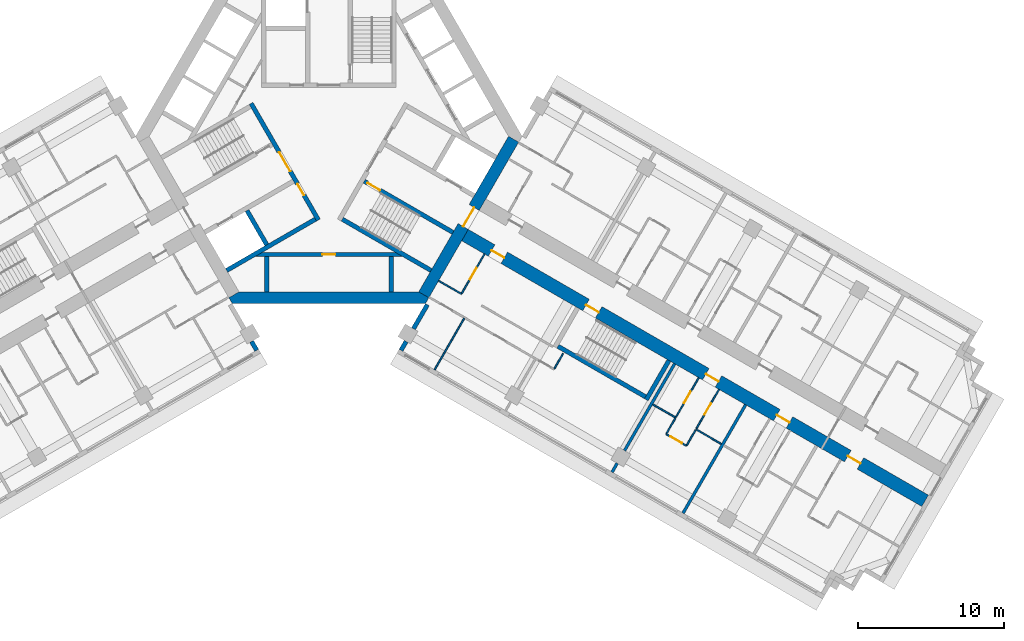
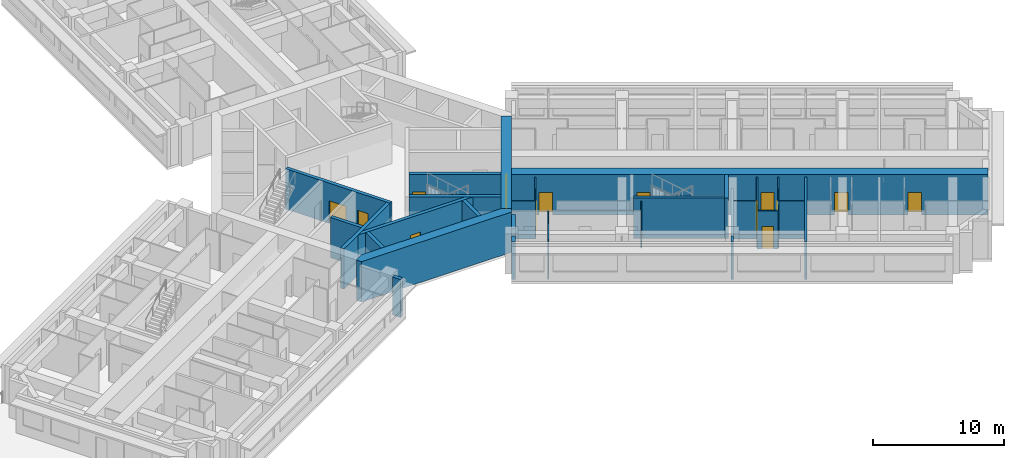
# One storey, part 6 of 15: 30 walls, 14 doors, 14 openings.
"""IFC4 building model written with IfcOpenShell, lengths in metres."""

from ifc_helpers import new_model, si_unit, direction, frame, frame_2d, origin, place, context, subcontext, project, spatial, polyline, rectangle, outline, extrude, material, layer, layer_set, type_object, element, fill, save


model = new_model("IFC4")

# Units and contexts
model_context = context("Model", 3, precision=1e-05, world=origin(), true_north=direction((0.0, 1.0)))
body_context = subcontext(model_context, "Body", "Model", "MODEL_VIEW")
ifc_project = project(units=[si_unit("LENGTHUNIT", "METRE"), si_unit("AREAUNIT", "SQUARE_METRE"), si_unit("VOLUMEUNIT", "CUBIC_METRE"), si_unit("PLANEANGLEUNIT", "RADIAN"), si_unit("MASSUNIT", "GRAM", prefix="KILO")], contexts=[model_context])

# Site, building, storey
site_placement = place(None, origin())
site = spatial("IfcSite", under=ifc_project, at=site_placement, CompositionType="ELEMENT")
building_placement = place(site_placement, origin())
building = spatial("IfcBuilding", under=site, at=building_placement, Name="Impinga Residences", CompositionType="ELEMENT")
storey_placement = place(building_placement, frame((0.0, 0.0, 132.25)))
storey = spatial("IfcBuildingStorey", under=building, at=storey_placement, Name="L32", CompositionType="ELEMENT", Elevation=132.25)

# Wall, openings, doors
ifc_material_1 = material(Name="Concrete C60/75", Category="concrete")
ifc_layer_1 = layer(ifc_material_1, 0.89990234375)
ifc_layer_set_1 = layer_set([ifc_layer_1], Name="Concrete C60/75")
wall_type_1 = type_object("IfcWallType", Name="BW2 corridor buttress wall, L24 to L44 900", PredefinedType="SHEAR", material=ifc_layer_set_1)
wall_1_placement = place(storey_placement, frame((8.95361328125, -6.554931640625, 0.0), z_axis=(0.0, 0.0, 1.0), x_axis=(0.866024733898, -0.500001160275, 0.0)))
wall_1 = element("IfcWall", 1, at=wall_1_placement, inside=storey, type_object=wall_type_1, Name="Corridor wall BW2 ED L32", PredefinedType="SHEAR", context=body_context, shape_type="SweptSolid", body=[
    extrude(rectangle(XDim=36.7001953125, YDim=0.89990234375, at=frame_2d((18.35009765625, 0.0))), origin(), (0.0, 0.0, 1.0), 3.75),
])
opening_1_placement = place(wall_1_placement, frame((9.949951171875, 0.0, 0.0)))
opening_1 = element("IfcOpeningElement", 2, at=opening_1_placement, cuts=wall_1, Name="Opening D5", PredefinedType="OPENING", context=body_context, shape_type="SweptSolid", body=[
    extrude(rectangle(XDim=1.0, YDim=2.10009765625, at=frame_2d((0.5, 1.050048828125))), frame((0.0, 0.4599609375, 0.0), z_axis=(0.0, -1.0, 0.0), x_axis=(1.0, 0.0, 0.0)), (0.0, 0.0, 1.0), 0.919921875),
])
opening_2_placement = place(wall_1_placement, frame((2.5, 0.0, 0.0)))
opening_2 = element("IfcOpeningElement", 3, at=opening_2_placement, cuts=wall_1, Name="Opening D1", PredefinedType="OPENING", context=body_context, shape_type="SweptSolid", body=[
    extrude(rectangle(XDim=1.0, YDim=2.10009765625, at=frame_2d((0.5, 1.050048828125))), frame((0.0, 0.4599609375, 0.0), z_axis=(0.0, -1.0, 0.0), x_axis=(1.0, 0.0, 0.0)), (0.0, 0.0, 1.0), 0.919921875),
])
opening_3_placement = place(wall_1_placement, frame((19.39990234375, 0.0, 0.0)))
opening_3 = element("IfcOpeningElement", 4, at=opening_3_placement, cuts=wall_1, Name="Opening D1", PredefinedType="OPENING", context=body_context, shape_type="SweptSolid", body=[
    extrude(rectangle(XDim=1.0, YDim=2.10009765625, at=frame_2d((0.5, 1.050048828125))), frame((0.0, 0.4599609375, 0.0), z_axis=(0.0, -1.0, 0.0), x_axis=(1.0, 0.0, 0.0)), (0.0, 0.0, 1.0), 0.919921875),
])
opening_4_placement = place(wall_1_placement, frame((25.0, 0.0, 0.0)))
opening_4 = element("IfcOpeningElement", 5, at=opening_4_placement, cuts=wall_1, Name="Opening D1", PredefinedType="OPENING", context=body_context, shape_type="SweptSolid", body=[
    extrude(rectangle(XDim=1.0, YDim=2.10009765625, at=frame_2d((0.5, 1.050048828125))), frame((0.0, 0.4599609375, 0.0), z_axis=(0.0, -1.0, 0.0), x_axis=(1.0, 0.0, 0.0)), (0.0, 0.0, 1.0), 0.919921875),
])
opening_5_placement = place(wall_1_placement, frame((30.60009765625, 0.0, 0.0)))
opening_5 = element("IfcOpeningElement", 6, at=opening_5_placement, cuts=wall_1, Name="Opening D1", PredefinedType="OPENING", context=body_context, shape_type="SweptSolid", body=[
    extrude(rectangle(XDim=1.0, YDim=2.10009765625, at=frame_2d((0.5, 1.050048828125))), frame((0.0, 0.4599609375, 0.0), z_axis=(0.0, -1.0, 0.0), x_axis=(1.0, 0.0, 0.0)), (0.0, 0.0, 1.0), 0.919921875),
])
ifc_material_2 = material(Name="Timber door set", Category="wood")
door_type_1 = type_object("IfcDoorType", Name="D1 apartment entrance door 1000x2100", OperationType="SINGLE_SWING_LEFT", PredefinedType="DOOR", material=ifc_material_2)
door_1_placement = place(opening_2_placement, origin())
door_1 = element("IfcDoor", 7, at=door_1_placement, inside=storey, type_object=door_type_1, Name="Apartment L32-EF1 entrance", OperationType="SINGLE_SWING_LEFT", OverallHeight=2.10009765625, OverallWidth=1.0, PredefinedType="DOOR", context=body_context, shape_type="SweptSolid", body=[
    extrude(rectangle(XDim=1.0, YDim=2.10009765625, at=frame_2d((0.5, 1.050048828125))), frame((0.0, 0.02490234375, 0.0), z_axis=(0.0, -1.0, 0.0), x_axis=(1.0, 0.0, 0.0)), (0.0, 0.0, 1.0), 0.050048828125),
])
fill(opening_2, door_1)
door_2_placement = place(opening_3_placement, origin())
door_2 = element("IfcDoor", 8, at=door_2_placement, inside=storey, type_object=door_type_1, Name="Apartment L32-EF2 entrance", OperationType="SINGLE_SWING_RIGHT", OverallHeight=2.10009765625, OverallWidth=1.0, PredefinedType="DOOR", context=body_context, shape_type="SweptSolid", body=[
    extrude(rectangle(XDim=1.0, YDim=2.10009765625, at=frame_2d((0.5, 1.050048828125))), frame((0.0, 0.02490234375, 0.0), z_axis=(0.0, -1.0, 0.0), x_axis=(1.0, 0.0, 0.0)), (0.0, 0.0, 1.0), 0.050048828125),
])
fill(opening_3, door_2)
door_3_placement = place(opening_4_placement, origin())
door_3 = element("IfcDoor", 9, at=door_3_placement, inside=storey, type_object=door_type_1, Name="Apartment L32-EF3 entrance", OperationType="SINGLE_SWING_RIGHT", OverallHeight=2.10009765625, OverallWidth=1.0, PredefinedType="DOOR", context=body_context, shape_type="SweptSolid", body=[
    extrude(rectangle(XDim=1.0, YDim=2.10009765625, at=frame_2d((0.5, 1.050048828125))), frame((0.0, 0.02490234375, 0.0), z_axis=(0.0, -1.0, 0.0), x_axis=(1.0, 0.0, 0.0)), (0.0, 0.0, 1.0), 0.050048828125),
])
fill(opening_4, door_3)
door_4_placement = place(opening_5_placement, origin())
door_4 = element("IfcDoor", 10, at=door_4_placement, inside=storey, type_object=door_type_1, Name="Apartment L32-EF4 entrance", OperationType="SINGLE_SWING_RIGHT", OverallHeight=2.10009765625, OverallWidth=1.0, PredefinedType="DOOR", context=body_context, shape_type="SweptSolid", body=[
    extrude(rectangle(XDim=1.0, YDim=2.10009765625, at=frame_2d((0.5, 1.050048828125))), frame((0.0, 0.02490234375, 0.0), z_axis=(0.0, -1.0, 0.0), x_axis=(1.0, 0.0, 0.0)), (0.0, 0.0, 1.0), 0.050048828125),
])
fill(opening_5, door_4)
door_type_2 = type_object("IfcDoorType", Name="D5 stair door 1000x2100", OperationType="SINGLE_SWING_LEFT", PredefinedType="DOOR", material=ifc_material_2)
door_5_placement = place(opening_1_placement, origin())
door_5 = element("IfcDoor", 11, at=door_5_placement, inside=storey, type_object=door_type_2, Name="Wing stair door E", OperationType="SINGLE_SWING_LEFT", OverallHeight=2.10009765625, OverallWidth=1.0, PredefinedType="DOOR", context=body_context, shape_type="SweptSolid", body=[
    extrude(rectangle(XDim=1.0, YDim=2.10009765625, at=frame_2d((0.5, 1.050048828125))), frame((0.0, 0.02490234375, 0.0), z_axis=(0.0, -1.0, 0.0), x_axis=(1.0, 0.0, 0.0)), (0.0, 0.0, 1.0), 0.050048828125),
])
fill(opening_1, door_5)

# Walls
ifc_material_3 = material(Name="Terracotta rainscreen on blockwork", Category="masonry")
ifc_layer_2 = layer(ifc_material_3, 0.300048828125)
ifc_layer_set_2 = layer_set([ifc_layer_2], Name="EW1 external wall, terracotta rainscreen on blockwork 300")
wall_type_2 = type_object("IfcWallType", Name="EW1 external wall, terracotta rainscreen on blockwork 300", PredefinedType="SOLIDWALL", material=ifc_layer_set_2)
wall_2_placement = place(storey_placement, frame((4.929931640625, -14.624267578125, 0.0), z_axis=(0.0, 0.0, 1.0), x_axis=(0.499853302173, 0.866110083249, 0.0)))
element("IfcWall", 12, at=wall_2_placement, inside=storey, type_object=wall_type_2, Name="External wall EW1 L32", PredefinedType="SOLIDWALL", context=body_context, shape_type="SweptSolid", body=[
    extrude(rectangle(XDim=0.699951171875, YDim=0.300048828125, at=frame_2d((0.35009765625, 0.0))), origin(), (0.0, 0.0, 1.0), 3.530029296875),
])
wall_3_placement = place(storey_placement, frame((5.77978515625, -13.152099609375, 0.0), z_axis=(0.0, 0.0, 1.0), x_axis=(0.500063520245, 0.865988727248, 0.0)))
element("IfcWall", 13, at=wall_3_placement, inside=storey, type_object=wall_type_2, Name="External wall EW1 L32", PredefinedType="SOLIDWALL", context=body_context, shape_type="SweptSolid", body=[
    extrude(rectangle(XDim=1.900146484375, YDim=0.300048828125, at=frame_2d((0.9501953125, 0.0))), origin(), (0.0, 0.0, 1.0), 3.530029296875),
])
wall_4_placement = place(storey_placement, frame((-5.27978515625, -14.01806640625, 0.0), z_axis=(0.0, 0.0, 1.0), x_axis=(0.499853302173, -0.866110083249, 0.0)))
element("IfcWall", 14, at=wall_4_placement, inside=storey, type_object=wall_type_2, Name="External wall EW1 L32", PredefinedType="SOLIDWALL", context=body_context, shape_type="SweptSolid", body=[
    extrude(rectangle(XDim=0.699951171875, YDim=0.300048828125, at=frame_2d((0.35009765625, 0.0))), origin(), (0.0, 0.0, 1.0), 3.530029296875),
])
ifc_material_4 = material(Name="Gypsum board on steel studs", Category="steel")
ifc_layer_3 = layer(ifc_material_4, 0.10009765625)
ifc_layer_set_3 = layer_set([ifc_layer_3], Name="Gypsum board on steel studs")
wall_type_3 = type_object("IfcWallType", Name="IP1 partition 100", PredefinedType="PARTITIONING", material=ifc_layer_set_3)
wall_5_placement = place(storey_placement, frame((7.5, -9.872802734375, 0.0), z_axis=(0.0, 0.0, 1.0), x_axis=(0.866047807691, -0.499961193289, 0.0)))
element("IfcWall", 15, at=wall_5_placement, inside=storey, type_object=wall_type_3, Name="Partition L32-EF1:DIV0", PredefinedType="PARTITIONING", context=body_context, shape_type="SweptSolid", body=[
    extrude(rectangle(XDim=1.800048828125, YDim=0.10009765625, at=frame_2d((0.89990234375, 0.0))), origin(), (0.0, 0.0, 1.0), 3.530029296875),
])
wall_6_placement = place(storey_placement, frame((16.00537109375, -14.841064453125, 0.0), z_axis=(0.0, 0.0, 1.0), x_axis=(-0.50012165622, -0.865955154139, 0.0)))
element("IfcWall", 16, at=wall_6_placement, inside=storey, type_object=wall_type_3, Name="Partition L32-EF1:SE1", PredefinedType="PARTITIONING", context=body_context, shape_type="SweptSolid", body=[
    extrude(rectangle(XDim=1.199951171875, YDim=0.10009765625, at=frame_2d((0.60009765625, 0.0))), origin(), (0.0, 0.0, 1.0), 3.530029296875),
])

# Wall, opening, door
wall_7_placement = place(storey_placement, frame((10.6337890625, -8.044677734375, 0.0), z_axis=(0.0, 0.0, 1.0), x_axis=(-0.49999285859, -0.86602952684, 0.0)))
wall_7 = element("IfcWall", 17, at=wall_7_placement, inside=storey, type_object=wall_type_3, Name="Partition L32-EF1:IB1", PredefinedType="PARTITIONING", context=body_context, shape_type="SweptSolid", body=[
    extrude(rectangle(XDim=3.10009765625, YDim=0.10009765625, at=frame_2d((1.550048828125, 0.0))), origin(), (0.0, 0.0, 1.0), 3.530029296875),
])
opening_6_placement = place(wall_7_placement, frame((1.10009765625, 0.0, 0.0)))
opening_6 = element("IfcOpeningElement", 18, at=opening_6_placement, cuts=wall_7, Name="Opening D2", PredefinedType="OPENING", context=body_context, shape_type="SweptSolid", body=[
    extrude(rectangle(XDim=0.89990234375, YDim=2.10009765625, at=frame_2d((0.449951171875, 1.050048828125))), frame((0.0, 0.06005859375, 0.0), z_axis=(0.0, -1.0, 0.0), x_axis=(1.0, 0.0, 0.0)), (0.0, 0.0, 1.0), 0.1201171875),
])
door_type_3 = type_object("IfcDoorType", Name="D2 internal door 900x2100", OperationType="SINGLE_SWING_LEFT", PredefinedType="DOOR", material=ifc_material_2)
door_6_placement = place(opening_6_placement, origin())
door_6 = element("IfcDoor", 19, at=door_6_placement, inside=storey, type_object=door_type_3, Name="Apartment L32-EF1 bathroom door", OperationType="SINGLE_SWING_LEFT", OverallHeight=2.10009765625, OverallWidth=0.89990234375, PredefinedType="DOOR", context=body_context, shape_type="SweptSolid", body=[
    extrude(rectangle(XDim=0.89990234375, YDim=2.10009765625, at=frame_2d((0.449951171875, 1.050048828125))), frame((0.0, 0.02490234375, 0.0), z_axis=(0.0, -1.0, 0.0), x_axis=(1.0, 0.0, 0.0)), (0.0, 0.0, 1.0), 0.050048828125),
])
fill(opening_6, door_6)

# Walls
wall_8_placement = place(storey_placement, frame((9.249755859375, -12.44189453125, 0.0), z_axis=(0.0, 0.0, 1.0), x_axis=(-0.499990325971, -0.866030989016, 0.0)))
element("IfcWall", 20, at=wall_8_placement, inside=storey, type_object=wall_type_3, Name="Partition L32-EF1:OB1", PredefinedType="PARTITIONING", context=body_context, shape_type="SweptSolid", body=[
    extrude(rectangle(XDim=4.0498046875, YDim=0.10009765625, at=frame_2d((2.02490234375, 0.0))), origin(), (0.0, 0.0, 1.0), 3.530029296875),
])
wall_9_placement = place(storey_placement, frame((22.1357421875, -18.32275390625, 0.0), z_axis=(0.0, 0.0, 1.0), x_axis=(0.866047807691, -0.499961193289, 0.0)))
element("IfcWall", 21, at=wall_9_placement, inside=storey, type_object=wall_type_3, Name="Partition L32-EF2:DIV0", PredefinedType="PARTITIONING", context=body_context, shape_type="SweptSolid", body=[
    extrude(rectangle(XDim=1.800048828125, YDim=0.10009765625, at=frame_2d((0.89990234375, 0.0))), origin(), (0.0, 0.0, 1.0), 3.530029296875),
])
wall_10_placement = place(storey_placement, frame((25.080322265625, -20.022705078125, 0.0), z_axis=(0.0, 0.0, 1.0), x_axis=(0.866010750942, -0.50002537861, 0.0)))
element("IfcWall", 22, at=wall_10_placement, inside=storey, type_object=wall_type_3, Name="Partition L32-EF2:DIV1", PredefinedType="PARTITIONING", context=body_context, shape_type="SweptSolid", body=[
    extrude(rectangle(XDim=2.0, YDim=0.10009765625, at=frame_2d((1.0, 0.0))), origin(), (0.0, 0.0, 1.0), 3.530029296875),
])

# Wall, opening, door
wall_11_placement = place(storey_placement, frame((23.044677734375, -20.3486328125, 0.0), z_axis=(0.0, 0.0, 1.0), x_axis=(0.866094119867, -0.499880961361, 0.0)))
wall_11 = element("IfcWall", 23, at=wall_11_placement, inside=storey, type_object=wall_type_3, Name="Partition L32-EF2:STRIP", PredefinedType="PARTITIONING", context=body_context, shape_type="SweptSolid", body=[
    extrude(rectangle(XDim=1.60009765625, YDim=0.10009765625, at=frame_2d((0.800048828125, 0.0))), origin(), (0.0, 0.0, 1.0), 3.530029296875),
])
opening_7_placement = place(wall_11_placement, frame((0.35009765625, 0.0, 0.0)))
opening_7 = element("IfcOpeningElement", 24, at=opening_7_placement, cuts=wall_11, Name="Opening D2", PredefinedType="OPENING", context=body_context, shape_type="SweptSolid", body=[
    extrude(rectangle(XDim=0.89990234375, YDim=2.10009765625, at=frame_2d((0.449951171875, 1.050048828125))), frame((0.0, 0.06005859375, 0.0), z_axis=(0.0, -1.0, 0.0), x_axis=(1.0, 0.0, 0.0)), (0.0, 0.0, 1.0), 0.1201171875),
])
door_7_placement = place(opening_7_placement, origin())
door_7 = element("IfcDoor", 25, at=door_7_placement, inside=storey, type_object=door_type_3, Name="Apartment L32-EF2 room door", OperationType="SINGLE_SWING_LEFT", OverallHeight=2.10009765625, OverallWidth=0.89990234375, PredefinedType="DOOR", context=body_context, shape_type="SweptSolid", body=[
    extrude(rectangle(XDim=0.89990234375, YDim=2.10009765625, at=frame_2d((0.449951171875, 1.050048828125))), frame((0.0, 0.02490234375, 0.0), z_axis=(0.0, -1.0, 0.0), x_axis=(1.0, 0.0, 0.0)), (0.0, 0.0, 1.0), 0.050048828125),
])
fill(opening_7, door_7)

# Walls
for number, where, z_axis, x_axis, name in (
    (26, (23.669677734375, -19.265869140625, 0.0), (0.0, 0.0, 1.0), (-0.500033551112, -0.866006032174, 0.0), "Partition L32-EF2:SE0"),
    (27, (25.055419921875, -20.06591796875, 0.0), (0.0, 0.0, 1.0), (-0.500033551112, -0.866006032174, 0.0), "Partition L32-EF2:SE1"),
):
    element("IfcWall", number, at=place(storey_placement, frame(where, z_axis=z_axis, x_axis=x_axis)), inside=storey, type_object=wall_type_3, Name=name, PredefinedType="PARTITIONING", context=body_context, shape_type="SweptSolid", body=[
        extrude(rectangle(XDim=1.2001953125, YDim=0.10009765625, at=frame_2d((0.60009765625, 0.0))), origin(), (0.0, 0.0, 1.0), 3.530029296875),
    ])

# Wall, opening, door
wall_12_placement = place(storey_placement, frame((25.269775390625, -16.49462890625, 0.0), z_axis=(0.0, 0.0, 1.0), x_axis=(-0.49999285859, -0.86602952684, 0.0)))
wall_12 = element("IfcWall", 28, at=wall_12_placement, inside=storey, type_object=wall_type_3, Name="Partition L32-EF2:IB1", PredefinedType="PARTITIONING", context=body_context, shape_type="SweptSolid", body=[
    extrude(rectangle(XDim=3.10009765625, YDim=0.10009765625, at=frame_2d((1.550048828125, 0.0))), origin(), (0.0, 0.0, 1.0), 3.530029296875),
])
opening_8_placement = place(wall_12_placement, frame((1.10009765625, 0.0, 0.0)))
opening_8 = element("IfcOpeningElement", 29, at=opening_8_placement, cuts=wall_12, Name="Opening D2", PredefinedType="OPENING", context=body_context, shape_type="SweptSolid", body=[
    extrude(rectangle(XDim=0.89990234375, YDim=2.10009765625, at=frame_2d((0.449951171875, 1.050048828125))), frame((0.0, 0.06005859375, 0.0), z_axis=(0.0, -1.0, 0.0), x_axis=(1.0, 0.0, 0.0)), (0.0, 0.0, 1.0), 0.1201171875),
])
door_8_placement = place(opening_8_placement, origin())
door_8 = element("IfcDoor", 30, at=door_8_placement, inside=storey, type_object=door_type_3, Name="Apartment L32-EF2 bathroom door", OperationType="SINGLE_SWING_LEFT", OverallHeight=2.10009765625, OverallWidth=0.89990234375, PredefinedType="DOOR", context=body_context, shape_type="SweptSolid", body=[
    extrude(rectangle(XDim=0.89990234375, YDim=2.10009765625, at=frame_2d((0.449951171875, 1.050048828125))), frame((0.0, 0.02490234375, 0.0), z_axis=(0.0, -1.0, 0.0), x_axis=(1.0, 0.0, 0.0)), (0.0, 0.0, 1.0), 0.050048828125),
])
fill(opening_8, door_8)

wall_13_placement = place(storey_placement, frame((26.6552734375, -17.294677734375, 0.0), z_axis=(0.0, 0.0, 1.0), x_axis=(-0.49999285859, -0.86602952684, 0.0)))
wall_13 = element("IfcWall", 31, at=wall_13_placement, inside=storey, type_object=wall_type_3, Name="Partition L32-EF2:IB2", PredefinedType="PARTITIONING", context=body_context, shape_type="SweptSolid", body=[
    extrude(rectangle(XDim=3.10009765625, YDim=0.10009765625, at=frame_2d((1.550048828125, 0.0))), origin(), (0.0, 0.0, 1.0), 3.530029296875),
])
opening_9_placement = place(wall_13_placement, frame((1.10009765625, 0.0, 0.0)))
opening_9 = element("IfcOpeningElement", 32, at=opening_9_placement, cuts=wall_13, Name="Opening D2", PredefinedType="OPENING", context=body_context, shape_type="SweptSolid", body=[
    extrude(rectangle(XDim=0.89990234375, YDim=2.10009765625, at=frame_2d((0.449951171875, 1.050048828125))), frame((0.0, 0.06005859375, 0.0), z_axis=(0.0, -1.0, 0.0), x_axis=(1.0, 0.0, 0.0)), (0.0, 0.0, 1.0), 0.1201171875),
])
door_9_placement = place(opening_9_placement, origin())
door_9 = element("IfcDoor", 33, at=door_9_placement, inside=storey, type_object=door_type_3, Name="Apartment L32-EF2 WC door", OperationType="SINGLE_SWING_LEFT", OverallHeight=2.10009765625, OverallWidth=0.89990234375, PredefinedType="DOOR", context=body_context, shape_type="SweptSolid", body=[
    extrude(rectangle(XDim=0.89990234375, YDim=2.10009765625, at=frame_2d((0.449951171875, 1.050048828125))), frame((0.0, 0.02490234375, 0.0), z_axis=(0.0, -1.0, 0.0), x_axis=(1.0, 0.0, 0.0)), (0.0, 0.0, 1.0), 0.050048828125),
])
fill(opening_9, door_9)

# Walls
ifc_material_5 = material(Name="Concrete blockwork", Category="masonry")
ifc_layer_4 = layer(ifc_material_5, 0.199951171875)
ifc_layer_set_4 = layer_set([ifc_layer_4], Name="PW1 party wall between apartments 200")
wall_type_4 = type_object("IfcWallType", Name="PW1 party wall between apartments 200", PredefinedType="SOLIDWALL", material=ifc_layer_set_4)
wall_14_placement = place(storey_placement, frame((23.624267578125, -15.544677734375, 0.0), z_axis=(0.0, 0.0, 1.0), x_axis=(-0.499999086063, -0.866025931445, 0.0)))
element("IfcWall", 34, at=wall_14_placement, inside=storey, type_object=wall_type_4, Name="Party wall between apartments L32-EF1:PARTY", PredefinedType="SOLIDWALL", context=body_context, shape_type="SweptSolid", body=[
    extrude(rectangle(XDim=6.85009765625, YDim=0.199951171875, at=frame_2d((3.425048828125, 0.0))), origin(), (0.0, 0.0, 1.0), 2.47998046875),
])
wall_15_placement = place(storey_placement, frame((19.69921875, -22.343017578125, 0.0), z_axis=(0.0, 0.0, 1.0), x_axis=(-0.500114896893, -0.865959057869, 0.0)))
element("IfcWall", 35, at=wall_15_placement, inside=storey, type_object=wall_type_4, Name="Party wall between apartments L32-EF1:PARTYb", PredefinedType="SOLIDWALL", context=body_context, shape_type="SweptSolid", body=[
    extrude(rectangle(XDim=0.699951171875, YDim=0.199951171875, at=frame_2d((0.35009765625, 0.0))), origin(), (0.0, 0.0, 1.0), 3.530029296875),
])
wall_16_placement = place(storey_placement, frame((28.473876953125, -18.3447265625, 0.0), z_axis=(0.0, 0.0, 1.0), x_axis=(-0.499990227581, -0.86603104582, 0.0)))
element("IfcWall", 36, at=wall_16_placement, inside=storey, type_object=wall_type_4, Name="Party wall between apartments L32-EF2:PARTY", PredefinedType="SOLIDWALL", context=body_context, shape_type="SweptSolid", body=[
    extrude(rectangle(XDim=8.550048828125, YDim=0.199951171875, at=frame_2d((4.27490234375, 0.0))), origin(), (0.0, 0.0, 1.0), 3.530029296875),
])
ifc_layer_5 = layer(ifc_material_1, 0.300048828125)
ifc_layer_set_5 = layer_set([ifc_layer_5], Name="Concrete C60/75")
wall_type_5 = type_object("IfcWallType", Name="SE1 wing stair enclosure wall 300", PredefinedType="SOLIDWALL", material=ifc_layer_set_5)
wall_17_placement = place(storey_placement, frame((23.234619140625, -15.31982421875, 0.0), z_axis=(0.0, 0.0, 1.0), x_axis=(-0.500026960575, -0.86600983753, 0.0)))
element("IfcWall", 37, at=wall_17_placement, inside=storey, type_object=wall_type_5, Name="Stair enclosure wall SE1 E END1 L32", PredefinedType="SOLIDWALL", context=body_context, shape_type="SweptSolid", body=[
    extrude(rectangle(XDim=3.099853515625, YDim=0.300048828125, at=frame_2d((1.5498046875, 0.0))), origin(), (0.0, 0.0, 1.0), 3.75),
])
wall_18_placement = place(storey_placement, frame((15.654052734375, -14.349365234375, 0.0), z_axis=(0.0, 0.0, 1.0), x_axis=(0.866013532718, -0.500020560727, 0.0)))
element("IfcWall", 38, at=wall_18_placement, inside=storey, type_object=wall_type_5, Name="Stair enclosure wall SE1 E OUT L32", PredefinedType="SOLIDWALL", context=body_context, shape_type="SweptSolid", body=[
    extrude(rectangle(XDim=6.900146484375, YDim=0.300048828125, at=frame_2d((3.4501953125, 0.0))), origin(), (0.0, 0.0, 1.0), 3.75),
])

# Wall, opening, door
ifc_layer_6 = layer(ifc_material_1, 0.800048828125)
ifc_layer_set_6 = layer_set([ifc_layer_6], Name="Concrete C60/75")
wall_type_6 = type_object("IfcWallType", Name="SW2 core wall 800", PredefinedType="SHEAR", material=ifc_layer_set_6)
wall_19_placement = place(storey_placement, frame((12.62255859375, -0.199951171875, 0.0), z_axis=(0.0, 0.0, 1.0), x_axis=(-0.499986991068, -0.866032914365, 0.0)))
wall_19 = element("IfcWall", 39, at=wall_19_placement, inside=storey, type_object=wall_type_6, Name="Core wall SW2 E:FACE L32", PredefinedType="SHEAR", context=body_context, shape_type="SweptSolid", body=[
    extrude(rectangle(XDim=12.276123046875, YDim=0.800048828125, at=frame_2d((6.13818359375, 0.0))), origin(), (0.0, 0.0, 1.0), 3.75),
])
opening_10_placement = place(wall_19_placement, frame((5.38818359375, 0.0, 0.0)))
opening_10 = element("IfcOpeningElement", 40, at=opening_10_placement, cuts=wall_19, Name="Opening D4", PredefinedType="OPENING", context=body_context, shape_type="SweptSolid", body=[
    extrude(rectangle(XDim=1.5, YDim=2.10009765625, at=frame_2d((0.75, 1.050048828125))), frame((0.0, 0.409912109375, 0.0), z_axis=(0.0, -1.0, 0.0), x_axis=(1.0, 0.0, 0.0)), (0.0, 0.0, 1.0), 0.820068359375),
])
door_type_4 = type_object("IfcDoorType", Name="D4 lobby door pair 1500x2100", OperationType="DOUBLE_DOOR_DOUBLE_SWING", PredefinedType="DOOR", material=ifc_material_2)
door_10_placement = place(opening_10_placement, origin())
door_10 = element("IfcDoor", 41, at=door_10_placement, inside=storey, type_object=door_type_4, Name="Lobby door E", OperationType="DOUBLE_DOOR_DOUBLE_SWING", OverallHeight=2.10009765625, OverallWidth=1.5, PredefinedType="DOOR", context=body_context, shape_type="SweptSolid", body=[
    extrude(rectangle(XDim=1.5, YDim=2.10009765625, at=frame_2d((0.75, 1.050048828125))), frame((0.0, 0.02490234375, 0.0), z_axis=(0.0, -1.0, 0.0), x_axis=(1.0, 0.0, 0.0)), (0.0, 0.0, 1.0), 0.050048828125),
])
fill(opening_10, door_10)

# Wall
wall_20_placement = place(storey_placement, origin())
element("IfcWall", 42, at=wall_20_placement, inside=storey, type_object=wall_type_6, Name="Core wall SW2 N:EXPOSED L32", PredefinedType="SHEAR", context=body_context, shape_type="SweptSolid", body=[
    extrude(outline(polyline([(-6.60009765625, -11.431640625), (6.60009765625, -11.431640625), (6.8310546875, -11.031494140625), (6.13818359375, -10.631591796875), (-6.13818359375, -10.631591796875), (-6.8310546875, -11.031494140625), (-6.60009765625, -11.431640625)])), origin(), (0.0, 0.0, 1.0), 3.75),
])

# Wall, openings, doors
ifc_material_6 = material(Name="Concrete C70/85", Category="concrete")
ifc_layer_7 = layer(ifc_material_6, 0.300048828125)
ifc_layer_set_7 = layer_set([ifc_layer_7], Name="Concrete C70/85")
wall_type_7 = type_object("IfcWallType", Name="SW5 core inner wall, stairs, shafts and lobbies 300", PredefinedType="SHEAR", material=ifc_layer_set_7)
wall_21_placement = place(storey_placement, frame((-0.7138671875, -5.7236328125, 0.0), z_axis=(0.0, 0.0, 1.0), x_axis=(-0.499995050369, 0.866028261437, 0.0)))
wall_21 = element("IfcWall", 43, at=wall_21_placement, inside=storey, type_object=wall_type_7, Name="Core wall SW5 W:ZONE L32", PredefinedType="SHEAR", context=body_context, shape_type="SweptSolid", body=[
    extrude(rectangle(XDim=9.19970703125, YDim=0.300048828125, at=frame_2d((4.599853515625, 0.0))), origin(), (0.0, 0.0, 1.0), 3.75),
])
opening_11_placement = place(wall_21_placement, frame((3.85009765625, 0.0, 0.0)))
opening_11 = element("IfcOpeningElement", 44, at=opening_11_placement, cuts=wall_21, Name="Opening D4", PredefinedType="OPENING", context=body_context, shape_type="SweptSolid", body=[
    extrude(rectangle(XDim=1.5, YDim=2.10009765625, at=frame_2d((0.75, 1.050048828125))), frame((0.0, 0.159912109375, 0.0), z_axis=(0.0, -1.0, 0.0), x_axis=(1.0, 0.0, 0.0)), (0.0, 0.0, 1.0), 0.320068359375),
])
opening_12_placement = place(wall_21_placement, frame((1.949951171875, 0.0, 0.0)))
opening_12 = element("IfcOpeningElement", 45, at=opening_12_placement, cuts=wall_21, Name="Opening D6", PredefinedType="OPENING", context=body_context, shape_type="SweptSolid", body=[
    extrude(rectangle(XDim=0.89990234375, YDim=2.10009765625, at=frame_2d((0.449951171875, 1.050048828125))), frame((0.0, 0.159912109375, 0.0), z_axis=(0.0, -1.0, 0.0), x_axis=(1.0, 0.0, 0.0)), (0.0, 0.0, 1.0), 0.320068359375),
])
door_11_placement = place(opening_11_placement, origin())
door_11 = element("IfcDoor", 46, at=door_11_placement, inside=storey, type_object=door_type_4, Name="Firefighting lobby door W", OperationType="DOUBLE_DOOR_DOUBLE_SWING", OverallHeight=2.10009765625, OverallWidth=1.5, PredefinedType="DOOR", context=body_context, shape_type="SweptSolid", body=[
    extrude(rectangle(XDim=1.5, YDim=2.10009765625, at=frame_2d((0.75, 1.050048828125))), frame((0.0, 0.02490234375, 0.0), z_axis=(0.0, -1.0, 0.0), x_axis=(1.0, 0.0, 0.0)), (0.0, 0.0, 1.0), 0.050048828125),
])
fill(opening_11, door_11)
door_type_5 = type_object("IfcDoorType", Name="D6 riser and store door 900x2100", OperationType="SINGLE_SWING_LEFT", PredefinedType="DOOR", material=ifc_material_2)
door_12_placement = place(opening_12_placement, origin())
door_12 = element("IfcDoor", 47, at=door_12_placement, inside=storey, type_object=door_type_5, Name="Riser door W", OperationType="SINGLE_SWING_LEFT", OverallHeight=2.10009765625, OverallWidth=0.89990234375, PredefinedType="DOOR", context=body_context, shape_type="SweptSolid", body=[
    extrude(rectangle(XDim=0.89990234375, YDim=2.10009765625, at=frame_2d((0.449951171875, 1.050048828125))), frame((0.0, 0.02490234375, 0.0), z_axis=(0.0, -1.0, 0.0), x_axis=(1.0, 0.0, 0.0)), (0.0, 0.0, 1.0), 0.050048828125),
])
fill(opening_12, door_12)

# Walls
wall_22_placement = place(storey_placement, frame((-0.918701171875, -5.668701171875, 0.0), z_axis=(0.0, 0.0, 1.0), x_axis=(-0.866011380966, -0.500024287448, 0.0)))
element("IfcWall", 48, at=wall_22_placement, inside=storey, type_object=wall_type_7, Name="Core wall SW5 W:FF-OUT L32", PredefinedType="SHEAR", context=body_context, shape_type="SweptSolid", body=[
    extrude(rectangle(XDim=7.001708984375, YDim=0.300048828125, at=frame_2d((3.5009765625, 0.0))), origin(), (0.0, 0.0, 1.0), 3.75),
])
wall_23_placement = place(storey_placement, frame((-4.2412109375, -7.413818359375, 0.0), z_axis=(0.0, 0.0, 1.0), x_axis=(-0.500048589285, 0.86599734893, 0.0)))
element("IfcWall", 49, at=wall_23_placement, inside=storey, type_object=wall_type_7, Name="Core wall SW5 W:FF-RS L32", PredefinedType="SHEAR", context=body_context, shape_type="SweptSolid", body=[
    extrude(rectangle(XDim=2.699951171875, YDim=0.300048828125, at=frame_2d((1.35009765625, 0.0))), origin(), (0.0, 0.0, 1.0), 3.75),
])

# Wall, opening, door
wall_24_placement = place(storey_placement, frame((2.418701171875, -3.07080078125, 0.0), z_axis=(0.0, 0.0, 1.0), x_axis=(0.866026480128, -0.499998135713, 0.0)))
wall_24 = element("IfcWall", 50, at=wall_24_placement, inside=storey, type_object=wall_type_7, Name="Core wall SW5 E:ST-IN L32", PredefinedType="SHEAR", context=body_context, shape_type="SweptSolid", body=[
    extrude(rectangle(XDim=7.00146484375, YDim=0.300048828125, at=frame_2d((3.500732421875, 0.0))), origin(), (0.0, 0.0, 1.0), 3.75),
])
opening_13_placement = place(wall_24_placement, frame((0.25, 0.0, 0.0)))
opening_13 = element("IfcOpeningElement", 51, at=opening_13_placement, cuts=wall_24, Name="Opening D5", PredefinedType="OPENING", context=body_context, shape_type="SweptSolid", body=[
    extrude(rectangle(XDim=1.0, YDim=2.10009765625, at=frame_2d((0.5, 1.050048828125))), frame((0.0, 0.159912109375, 0.0), z_axis=(0.0, -1.0, 0.0), x_axis=(1.0, 0.0, 0.0)), (0.0, 0.0, 1.0), 0.320068359375),
])
door_13_placement = place(opening_13_placement, origin())
door_13 = element("IfcDoor", 52, at=door_13_placement, inside=storey, type_object=door_type_2, Name="Stair door E", OperationType="SINGLE_SWING_LEFT", OverallHeight=2.10009765625, OverallWidth=1.0, PredefinedType="DOOR", context=body_context, shape_type="SweptSolid", body=[
    extrude(rectangle(XDim=1.0, YDim=2.10009765625, at=frame_2d((0.5, 1.050048828125))), frame((0.0, 0.02490234375, 0.0), z_axis=(0.0, -1.0, 0.0), x_axis=(1.0, 0.0, 0.0)), (0.0, 0.0, 1.0), 0.050048828125),
])
fill(opening_13, door_13)

# Wall
wall_25_placement = place(storey_placement, frame((0.918701171875, -5.668701171875, 0.0), z_axis=(0.0, 0.0, 1.0), x_axis=(0.866011380966, -0.500024287448, 0.0)))
element("IfcWall", 53, at=wall_25_placement, inside=storey, type_object=wall_type_7, Name="Core wall SW5 E:ST-OUT L32", PredefinedType="SHEAR", context=body_context, shape_type="SweptSolid", body=[
    extrude(rectangle(XDim=7.001708984375, YDim=0.300048828125, at=frame_2d((3.5009765625, 0.0))), origin(), (0.0, 0.0, 1.0), 3.75),
])

# Wall, opening, door
wall_26_placement = place(storey_placement, frame((5.09765625, -8.08154296875, 0.0), z_axis=(0.0, 0.0, 1.0), x_axis=(-1.0, 0.0, 0.0)))
wall_26 = element("IfcWall", 54, at=wall_26_placement, inside=storey, type_object=wall_type_7, Name="Core wall SW5 N:BANK-FRONT L32", PredefinedType="SHEAR", context=body_context, shape_type="SweptSolid", body=[
    extrude(rectangle(XDim=10.1953125, YDim=0.300048828125, at=frame_2d((5.09765625, 0.0))), origin(), (0.0, 0.0, 1.0), 3.75),
])
opening_14_placement = place(wall_26_placement, frame((4.647705078125, 0.0, 0.0)))
opening_14 = element("IfcOpeningElement", 55, at=opening_14_placement, cuts=wall_26, Name="Opening D6", PredefinedType="OPENING", context=body_context, shape_type="SweptSolid", body=[
    extrude(rectangle(XDim=0.89990234375, YDim=2.10009765625, at=frame_2d((0.449951171875, 1.050048828125))), frame((0.0, 0.159912109375, 0.0), z_axis=(0.0, -1.0, 0.0), x_axis=(1.0, 0.0, 0.0)), (0.0, 0.0, 1.0), 0.320068359375),
])
door_14_placement = place(opening_14_placement, origin())
door_14 = element("IfcDoor", 56, at=door_14_placement, inside=storey, type_object=door_type_5, Name="IT and communications room door", OperationType="SINGLE_SWING_LEFT", OverallHeight=2.10009765625, OverallWidth=0.89990234375, PredefinedType="DOOR", context=body_context, shape_type="SweptSolid", body=[
    extrude(rectangle(XDim=0.89990234375, YDim=2.10009765625, at=frame_2d((0.449951171875, 1.050048828125))), frame((0.0, 0.02490234375, 0.0), z_axis=(0.0, -1.0, 0.0), x_axis=(1.0, 0.0, 0.0)), (0.0, 0.0, 1.0), 0.050048828125),
])
fill(opening_14, door_14)

# Walls
for number, where, z_axis, x_axis, name in (
    (57, (4.25, -8.2314453125, 0.0), (0.0, 0.0, 1.0), (0.0, -1.0, 0.0), "Core wall SW5 N:BANK-L L32"),
    (58, (-4.25, -8.2314453125, 0.0), (0.0, 0.0, 1.0), (0.0, -1.0, 0.0), "Core wall SW5 N:BANK-R L32"),
):
    element("IfcWall", number, at=place(storey_placement, frame(where, z_axis=z_axis, x_axis=x_axis)), inside=storey, type_object=wall_type_7, Name=name, PredefinedType="SHEAR", context=body_context, shape_type="SweptSolid", body=[
        extrude(rectangle(XDim=2.400146484375, YDim=0.300048828125, at=frame_2d((1.2001953125, 0.0))), origin(), (0.0, 0.0, 1.0), 3.75),
    ])

save(model, "model.ifc")
